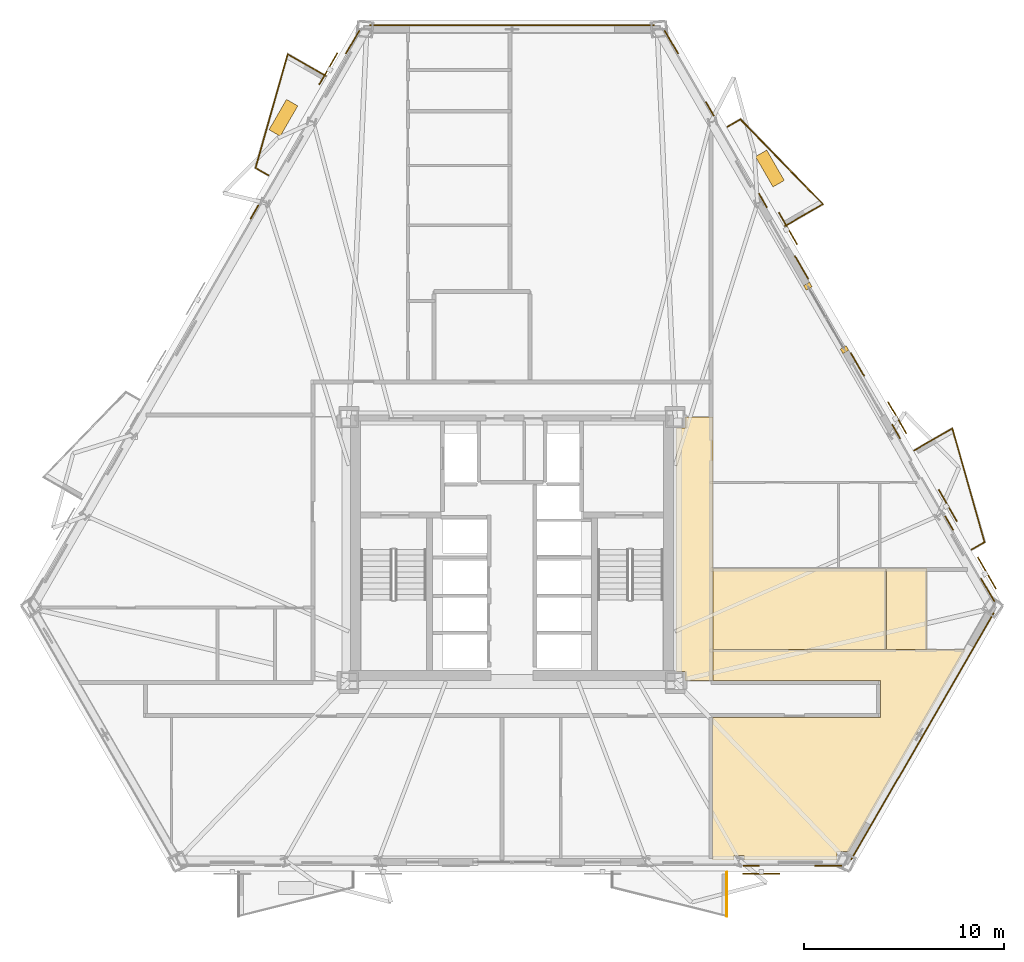
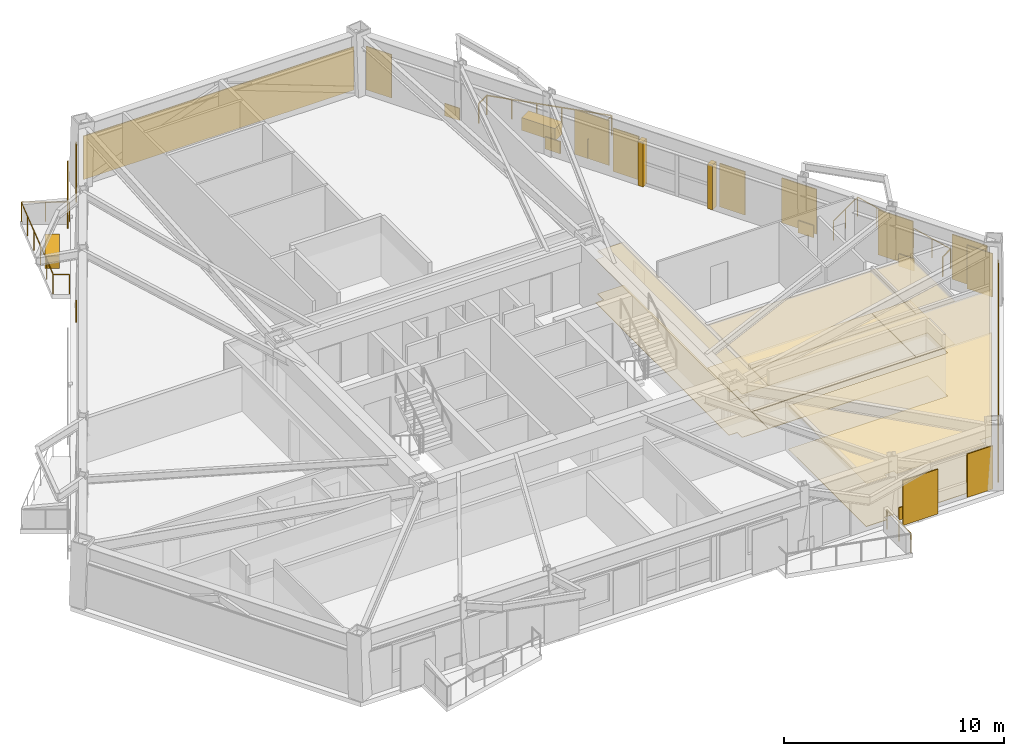
# One storey, part 15 of 15: 26 coverings, 10 railings, 6 shading devices.
"""IFC4 building model written with IfcOpenShell, lengths in metres."""

from ifc_helpers import new_model, si_unit, direction, frame, origin, origin_2d, place, context, subcontext, project, spatial, polyline, rectangle, circle, outline, extrude, material, layer, layer_set, type_object, element, save


model = new_model("IFC4")

# Units and contexts
model_context = context("Model", 3, precision=1e-05, world=origin(), true_north=direction((0.0, 1.0)))
body_context = subcontext(model_context, "Body", "Model", "MODEL_VIEW")
ifc_project = project(units=[si_unit("LENGTHUNIT", "METRE"), si_unit("AREAUNIT", "SQUARE_METRE"), si_unit("VOLUMEUNIT", "CUBIC_METRE"), si_unit("PLANEANGLEUNIT", "RADIAN"), si_unit("MASSUNIT", "GRAM", prefix="KILO")], contexts=[model_context])

# Site, building, storey
site_placement = place(None, origin())
site = spatial("IfcSite", under=ifc_project, at=site_placement, CompositionType="ELEMENT")
building_placement = place(site_placement, origin())
building = spatial("IfcBuilding", under=site, at=building_placement, Name="Oramaril Tower", CompositionType="ELEMENT")
storey_placement = place(building_placement, frame((0.0, 0.0, 48.89990234375)))
storey = spatial("IfcBuildingStorey", under=building, at=storey_placement, Name="L12", CompositionType="ELEMENT", Elevation=48.89990234375)

# Coverings
ifc_material_1 = material(Name="Mineral Fibre Acoustic Ceiling")
ifc_layer_1 = layer(ifc_material_1, 0.02001953125)
ifc_layer_set_1 = layer_set([ifc_layer_1], Name="CVT-CEIL")
covering_type_1 = type_object("IfcCoveringType", Name="CVT-CEIL", PredefinedType="CEILING", material=ifc_layer_set_1)
covering_1_placement = place(storey_placement, frame((0.0, 0.0, 2.400146484375)))
element("IfcCovering", 1, at=covering_1_placement, inside=storey, type_object=covering_type_1, Name="L12 Acoustic Suspended Ceiling 4", PredefinedType="CEILING", context=body_context, shape_type="SweptSolid", body=[
    extrude(outline(polyline([(47.530029296875, 11.050048828125), (46.14501953125, 11.050048828125), (46.14501953125, 11.4951171875), (45.719970703125, 11.4951171875), (45.719970703125, 23.655029296875), (46.14501953125, 23.655029296875), (46.14501953125, 24.219970703125), (47.530029296875, 24.219970703125), (47.530029296875, 11.050048828125)])), origin(), (0.0, 0.0, 1.0), 0.02001953125),
])
covering_2_placement = place(storey_placement, frame((0.0, 0.0, 2.400146484375)))
element("IfcCovering", 2, at=covering_2_placement, inside=storey, type_object=covering_type_1, Name="L12 Acoustic Suspended Ceiling 14", PredefinedType="CEILING", context=body_context, shape_type="SweptSolid", body=[
    extrude(outline(polyline([(60.15625, 12.58984375), (54.32958984375, 2.497802734375), (53.734375, 2.497802734375), (53.734375, 2.086181640625), (49.093505859375, 2.086181640625), (49.093505859375, 2.314697265625), (48.587890625, 2.314697265625), (48.587890625, 2.086181640625), (47.511962890625, 2.086181640625), (47.511962890625, 9.199951171875), (55.8798828125, 9.199951171875), (55.882080078125, 9.2001953125), (55.8837890625, 9.200439453125), (55.8857421875, 9.200927734375), (55.8876953125, 9.201416015625), (55.889404296875, 9.202392578125), (55.89111328125, 9.203369140625), (55.892578125, 9.20458984375), (55.89404296875, 9.205810546875), (55.8955078125, 9.207275390625), (55.896484375, 9.208984375), (55.897705078125, 9.210693359375), (55.8984375, 9.21240234375), (55.899169921875, 9.214111328125), (55.899658203125, 9.216064453125), (55.89990234375, 9.218017578125), (55.89990234375, 9.219970703125), (55.89990234375, 11.030029296875), (55.89990234375, 11.031982421875), (55.899658203125, 11.033935546875), (55.899169921875, 11.035888671875), (55.8984375, 11.03759765625), (55.897705078125, 11.039306640625), (55.896484375, 11.041015625), (55.8955078125, 11.042724609375), (55.89404296875, 11.044189453125), (55.892578125, 11.04541015625), (55.89111328125, 11.046630859375), (55.889404296875, 11.047607421875), (55.8876953125, 11.048583984375), (55.8857421875, 11.049072265625), (55.8837890625, 11.049560546875), (55.882080078125, 11.0498046875), (55.8798828125, 11.050048828125), (47.550048828125, 11.050048828125), (47.550048828125, 12.58984375), (60.15625, 12.58984375)])), origin(), (0.0, 0.0, 1.0), 0.02001953125),
])
covering_3_placement = place(storey_placement, frame((0.0, 0.0, 2.400146484375)))
element("IfcCovering", 3, at=covering_3_placement, inside=storey, type_object=covering_type_1, Name="L12 Acoustic Suspended Ceiling 15", PredefinedType="CEILING", context=body_context, shape_type="SweptSolid", body=[
    extrude(outline(polyline([(56.185302734375, 16.64208984375), (56.185302734375, 12.60986328125), (47.550048828125, 12.60986328125), (47.550048828125, 16.64208984375), (56.185302734375, 16.64208984375)])), origin(), (0.0, 0.0, 1.0), 0.02001953125),
])
covering_4_placement = place(storey_placement, frame((0.0, 0.0, 2.400146484375)))
element("IfcCovering", 4, at=covering_4_placement, inside=storey, type_object=covering_type_1, Name="L12 Acoustic Suspended Ceiling 16", PredefinedType="CEILING", context=body_context, shape_type="SweptSolid", body=[
    extrude(outline(polyline([(58.2353515625, 16.64208984375), (58.2353515625, 12.60986328125), (56.205322265625, 12.60986328125), (56.205322265625, 16.64208984375), (58.2353515625, 16.64208984375)])), origin(), (0.0, 0.0, 1.0), 0.02001953125),
])
ifc_material_2 = material(Name="Warm Cream Limestone", Category="masonry")
ifc_layer_2 = layer(ifc_material_2, 0.050048828125)
ifc_layer_set_2 = layer_set([ifc_layer_2], Name="CVT-CLD")
covering_type_2 = type_object("IfcCoveringType", Name="CVT-CLD", PredefinedType="CLADDING", material=ifc_layer_set_2)
covering_5_placement = place(storey_placement, frame((53.30419921875, 1.785400390625, 0.0400390625), z_axis=(0.0, 0.0, 1.0), x_axis=(1.0, 0.0, 0.0)))
element("IfcCovering", 5, at=covering_5_placement, inside=storey, type_object=covering_type_2, Name="L12 Warm Cream Limestone Cladding", PredefinedType="CLADDING", context=body_context, shape_type="SweptSolid", body=[
    extrude(rectangle(XDim=1.35009765625, YDim=0.050048828125, at=origin_2d()), origin(), (0.0, 0.0, 1.0), 2.4140625),
])
covering_6_placement = place(storey_placement, frame((49.448974609375, 1.785400390625, 0.0400390625), z_axis=(0.0, 0.0, 1.0), x_axis=(1.0, 0.0, 0.0)))
element("IfcCovering", 6, at=covering_6_placement, inside=storey, type_object=covering_type_2, Name="L12 Warm Cream Limestone Spandrel Cladding", PredefinedType="CLADDING", context=body_context, shape_type="SweptSolid", body=[
    extrude(rectangle(XDim=0.800048828125, YDim=0.050048828125, at=origin_2d()), origin(), (0.0, 0.0, 1.0), 0.679931640625),
])
covering_7_placement = place(storey_placement, frame((58.0048828125, 8.26171875, 0.0400390625), z_axis=(0.0, 0.0, 1.0), x_axis=(0.5, 0.866025403784, 0.0)))
element("IfcCovering", 7, at=covering_7_placement, inside=storey, type_object=covering_type_2, Name="L12 Warm Cream Limestone Cladding", PredefinedType="CLADDING", context=body_context, shape_type="SweptSolid", body=[
    extrude(rectangle(XDim=14.2333984375, YDim=0.050048828125, at=origin_2d()), origin(), (0.0, 0.0, 1.0), 2.4140625),
])
for number, where, z_axis, x_axis, name in (
    (8, (54.10888671875, 27.575927734375, 0.0), (0.0, 0.0, 1.0), (-0.5, 0.866025403784, 0.0), "L12 Curtain Wall Limestone Jamb Closure"),
    (9, (52.27880859375, 30.74560546875, 0.0), (0.0, 0.0, 1.0), (-0.5, 0.866025403784, 0.0), "L12 Curtain Wall Limestone Jamb Closure"),
):
    element("IfcCovering", number, at=place(storey_placement, frame(where, z_axis=z_axis, x_axis=x_axis)), inside=storey, type_object=covering_type_2, Name=name, PredefinedType="CLADDING", context=body_context, shape_type="SweptSolid", body=[
        extrude(rectangle(XDim=0.260009765625, YDim=0.340087890625, at=origin_2d()), origin(), (0.0, 0.0, 1.0), 2.493896484375),
    ])
for number, where, z_axis, x_axis, name in (
    (10, (61.26318359375, 15.5703125, 0.0400390625), (0.0, 0.0, 1.0), (-0.5, 0.866025403784, 0.0), "L12 Warm Cream Limestone Cladding"),
    (11, (54.760986328125, 26.83251953125, 0.0400390625), (0.0, 0.0, 1.0), (-0.5, 0.866025403784, 0.0), "L12 Warm Cream Limestone Cladding"),
):
    element("IfcCovering", number, at=place(storey_placement, frame(where, z_axis=z_axis, x_axis=x_axis)), inside=storey, type_object=covering_type_2, Name=name, PredefinedType="CLADDING", context=body_context, shape_type="SweptSolid", body=[
        extrude(rectangle(XDim=1.35009765625, YDim=0.050048828125, at=origin_2d()), origin(), (0.0, 0.0, 1.0), 2.4140625),
    ])
for number, where, z_axis, x_axis, name in (
    (12, (59.33544921875, 18.9091796875, 0.0400390625), (0.0, 0.0, 1.0), (-0.5, 0.866025403784, 0.0), "L12 Warm Cream Limestone Spandrel Cladding"),
    (13, (56.688720703125, 23.49365234375, 0.0400390625), (0.0, 0.0, 1.0), (-0.5, 0.866025403784, 0.0), "L12 Warm Cream Limestone Spandrel Cladding"),
):
    element("IfcCovering", number, at=place(storey_placement, frame(where, z_axis=z_axis, x_axis=x_axis)), inside=storey, type_object=covering_type_2, Name=name, PredefinedType="CLADDING", context=body_context, shape_type="SweptSolid", body=[
        extrude(rectangle(XDim=0.800048828125, YDim=0.050048828125, at=origin_2d()), origin(), (0.0, 0.0, 1.0), 0.679931640625),
    ])
for number, where, z_axis, x_axis, name in (
    (14, (51.9609375, 31.68212890625, 0.0400390625), (0.0, 0.0, 1.0), (-0.5, 0.866025403784, 0.0), "L12 Warm Cream Limestone Cladding"),
    (15, (45.458740234375, 42.9443359375, 0.0400390625), (0.0, 0.0, 1.0), (-0.5, 0.866025403784, 0.0), "L12 Warm Cream Limestone Cladding"),
):
    element("IfcCovering", number, at=place(storey_placement, frame(where, z_axis=z_axis, x_axis=x_axis)), inside=storey, type_object=covering_type_2, Name=name, PredefinedType="CLADDING", context=body_context, shape_type="SweptSolid", body=[
        extrude(rectangle(XDim=1.35009765625, YDim=0.050048828125, at=origin_2d()), origin(), (0.0, 0.0, 1.0), 2.4140625),
    ])
for number, where, z_axis, x_axis, name in (
    (16, (50.033447265625, 35.02099609375, 0.0400390625), (0.0, 0.0, 1.0), (-0.5, 0.866025403784, 0.0), "L12 Warm Cream Limestone Spandrel Cladding"),
    (17, (47.38671875, 39.60546875, 0.0400390625), (0.0, 0.0, 1.0), (-0.5, 0.866025403784, 0.0), "L12 Warm Cream Limestone Spandrel Cladding"),
):
    element("IfcCovering", number, at=place(storey_placement, frame(where, z_axis=z_axis, x_axis=x_axis)), inside=storey, type_object=covering_type_2, Name=name, PredefinedType="CLADDING", context=body_context, shape_type="SweptSolid", body=[
        extrude(rectangle(XDim=0.800048828125, YDim=0.050048828125, at=origin_2d()), origin(), (0.0, 0.0, 1.0), 0.679931640625),
    ])
covering_8_placement = place(storey_placement, frame((37.5, 43.77685546875, 0.0400390625), z_axis=(0.0, 0.0, 1.0), x_axis=(-1.0, 0.0, 0.0)))
element("IfcCovering", 18, at=covering_8_placement, inside=storey, type_object=covering_type_2, Name="L12 Warm Cream Limestone Cladding", PredefinedType="CLADDING", context=body_context, shape_type="SweptSolid", body=[
    extrude(rectangle(XDim=14.2333984375, YDim=0.050048828125, at=origin_2d()), origin(), (0.0, 0.0, 1.0), 2.4140625),
])
covering_9_placement = place(storey_placement, frame((29.541259765625, 42.9443359375, 0.0400390625), z_axis=(0.0, 0.0, 1.0), x_axis=(-0.5, -0.866025403784, 0.0)))
element("IfcCovering", 19, at=covering_9_placement, inside=storey, type_object=covering_type_2, Name="L12 Warm Cream Limestone Cladding", PredefinedType="CLADDING", context=body_context, shape_type="SweptSolid", body=[
    extrude(rectangle(XDim=1.35009765625, YDim=0.050048828125, at=origin_2d()), origin(), (0.0, 0.0, 1.0), 2.4140625),
])
covering_10_placement = place(storey_placement, frame((24.63671875, 34.44970703125, 0.0400390625), z_axis=(0.0, 0.0, 1.0), x_axis=(-0.5, -0.866025403784, 0.0)))
element("IfcCovering", 20, at=covering_10_placement, inside=storey, type_object=covering_type_2, Name="L12 Warm Cream Limestone Spandrel Cladding", PredefinedType="CLADDING", context=body_context, shape_type="SweptSolid", body=[
    extrude(rectangle(XDim=0.800048828125, YDim=0.050048828125, at=origin_2d()), origin(), (0.0, 0.0, 1.0), 0.679931640625),
])
for number, where, z_axis, x_axis, name in (
    (21, (50.3818359375, 36.62451171875, 0.0), (0.0, 0.0, 1.0), (-0.5, 0.866025403784, 0.0), "L12 Structural Tree Planter Box L12-BAL-NE2"),
    (22, (26.080810546875, 39.15771484375, 0.0), (0.0, 0.0, 1.0), (-0.5, -0.866025403784, 0.0), "L12 Structural Tree Planter Box L12-BAL-NW1"),
):
    element("IfcCovering", number, at=place(storey_placement, frame(where, z_axis=z_axis, x_axis=x_axis)), inside=storey, type_object=covering_type_2, Name=name, PredefinedType="CLADDING", context=body_context, shape_type="SweptSolid", body=[
        extrude(rectangle(XDim=1.75, YDim=0.64990234375, at=origin_2d()), origin(), (0.0, 0.0, 1.0), 0.699951171875),
    ])
ifc_material_3 = material(Name="Honed Quartzite Stone Flooring", Category="masonry")
ifc_layer_3 = layer(ifc_material_3, 0.02490234375)
ifc_layer_set_3 = layer_set([ifc_layer_3], Name="CVT-FLR")
covering_type_3 = type_object("IfcCoveringType", Name="CVT-FLR", PredefinedType="FLOORING", material=ifc_layer_set_3)
covering_11_placement = place(storey_placement, origin())
element("IfcCovering", 23, at=covering_11_placement, inside=storey, type_object=covering_type_3, Name="L12 Honed Stone Floor Finish 4", PredefinedType="FLOORING", context=body_context, shape_type="SweptSolid", body=[
    extrude(outline(polyline([(47.530029296875, 11.050048828125), (46.14501953125, 11.050048828125), (46.14501953125, 11.4951171875), (45.719970703125, 11.4951171875), (45.719970703125, 23.655029296875), (46.14501953125, 23.655029296875), (46.14501953125, 24.219970703125), (47.530029296875, 24.219970703125), (47.530029296875, 11.050048828125)])), origin(), (0.0, 0.0, 1.0), 0.025146484375),
])
covering_12_placement = place(storey_placement, origin())
element("IfcCovering", 24, at=covering_12_placement, inside=storey, type_object=covering_type_3, Name="L12 Honed Stone Floor Finish 14", PredefinedType="FLOORING", context=body_context, shape_type="SweptSolid", body=[
    extrude(outline(polyline([(60.15625, 12.58984375), (54.32958984375, 2.497802734375), (53.734375, 2.497802734375), (53.734375, 2.086181640625), (49.093505859375, 2.086181640625), (49.093505859375, 2.314697265625), (48.587890625, 2.314697265625), (48.587890625, 2.086181640625), (47.511962890625, 2.086181640625), (47.511962890625, 9.199951171875), (55.8798828125, 9.199951171875), (55.882080078125, 9.2001953125), (55.8837890625, 9.200439453125), (55.8857421875, 9.200927734375), (55.8876953125, 9.201416015625), (55.889404296875, 9.202392578125), (55.89111328125, 9.203369140625), (55.892578125, 9.20458984375), (55.89404296875, 9.205810546875), (55.8955078125, 9.207275390625), (55.896484375, 9.208984375), (55.897705078125, 9.210693359375), (55.8984375, 9.21240234375), (55.899169921875, 9.214111328125), (55.899658203125, 9.216064453125), (55.89990234375, 9.218017578125), (55.89990234375, 9.219970703125), (55.89990234375, 11.030029296875), (55.89990234375, 11.031982421875), (55.899658203125, 11.033935546875), (55.899169921875, 11.035888671875), (55.8984375, 11.03759765625), (55.897705078125, 11.039306640625), (55.896484375, 11.041015625), (55.8955078125, 11.042724609375), (55.89404296875, 11.044189453125), (55.892578125, 11.04541015625), (55.89111328125, 11.046630859375), (55.889404296875, 11.047607421875), (55.8876953125, 11.048583984375), (55.8857421875, 11.049072265625), (55.8837890625, 11.049560546875), (55.882080078125, 11.0498046875), (55.8798828125, 11.050048828125), (47.550048828125, 11.050048828125), (47.550048828125, 12.58984375), (60.15625, 12.58984375)])), origin(), (0.0, 0.0, 1.0), 0.025146484375),
])
covering_13_placement = place(storey_placement, origin())
element("IfcCovering", 25, at=covering_13_placement, inside=storey, type_object=covering_type_3, Name="L12 Honed Stone Floor Finish 15", PredefinedType="FLOORING", context=body_context, shape_type="SweptSolid", body=[
    extrude(outline(polyline([(56.185302734375, 16.64208984375), (56.185302734375, 12.60986328125), (47.550048828125, 12.60986328125), (47.550048828125, 16.64208984375), (56.185302734375, 16.64208984375)])), origin(), (0.0, 0.0, 1.0), 0.025146484375),
])
covering_14_placement = place(storey_placement, origin())
element("IfcCovering", 26, at=covering_14_placement, inside=storey, type_object=covering_type_3, Name="L12 Honed Stone Floor Finish 16", PredefinedType="FLOORING", context=body_context, shape_type="SweptSolid", body=[
    extrude(outline(polyline([(58.2353515625, 16.64208984375), (58.2353515625, 12.60986328125), (56.205322265625, 12.60986328125), (56.205322265625, 16.64208984375), (58.2353515625, 16.64208984375)])), origin(), (0.0, 0.0, 1.0), 0.025146484375),
])

# Railings
ifc_material_4 = material(Name="Stainless Steel 316L", Category="steel")
railing_type = type_object("IfcRailingType", Name="RLT-GRD", PredefinedType="GUARDRAIL", material=ifc_material_4)
railing_1_placement = place(storey_placement, frame((48.23486328125, 1.47021484375, 0.0)))
element("IfcRailing", 27, at=railing_1_placement, inside=storey, type_object=railing_type, Name="L12 Balcony Guardrail L12-BAL-S2.1", PredefinedType="GUARDRAIL", context=body_context, shape_type="SweptSolid", body=[
    extrude(circle(Radius=0.02392578125, at=origin_2d()), frame((0.0, 0.0, 1.076171875), z_axis=(0.0, -1.0, 0.0), x_axis=(1.0, 0.0, 0.0)), (0.0, 0.0, 1.0), 2.19189453125),
    extrude(circle(Radius=0.02099609375, at=origin_2d()), origin(), (0.0, 0.0, 1.0), 1.052001953125),
    extrude(circle(Radius=0.02099609375, at=origin_2d()), frame((0.0, -1.095947265625, 0.0)), (0.0, 0.0, 1.0), 1.052001953125),
    extrude(circle(Radius=0.02099609375, at=origin_2d()), frame((0.0, -2.19189453125, 0.0)), (0.0, 0.0, 1.0), 1.052001953125),
])
railing_2_placement = place(storey_placement, frame((57.598876953125, 22.54736328125, 0.0)))
element("IfcRailing", 28, at=railing_2_placement, inside=storey, type_object=railing_type, Name="L12 Balcony Guardrail L12-BAL-NE1.1", PredefinedType="GUARDRAIL", context=body_context, shape_type="SweptSolid", body=[
    extrude(circle(Radius=0.02392578125, at=origin_2d()), frame((0.0, 0.0, 1.076171875), z_axis=(0.866020500697, 0.5000084923, 0.0), x_axis=(-0.5000084923, 0.866020500697, 0.0)), (0.0, 0.0, 1.0), 2.19189453125),
    extrude(circle(Radius=0.02099609375, at=origin_2d()), origin(), (0.0, 0.0, 1.0), 1.052001953125),
    extrude(circle(Radius=0.02099609375, at=origin_2d()), frame((0.94921875, 0.5478515625, 0.0)), (0.0, 0.0, 1.0), 1.052001953125),
    extrude(circle(Radius=0.02099609375, at=origin_2d()), frame((1.898193359375, 1.095947265625, 0.0)), (0.0, 0.0, 1.0), 1.052001953125),
])
railing_3_placement = place(storey_placement, frame((59.4970703125, 23.643310546875, 0.0)))
element("IfcRailing", 29, at=railing_3_placement, inside=storey, type_object=railing_type, Name="L12 Balcony Guardrail L12-BAL-NE1.2", PredefinedType="GUARDRAIL", context=body_context, shape_type="SweptSolid", body=[
    extrude(circle(Radius=0.02392578125, at=origin_2d()), frame((0.0, 0.0, 1.076171875), z_axis=(0.27224886544, -0.962226873074, 0.0), x_axis=(0.962226873074, 0.27224886544, 0.0)), (0.0, 0.0, 1.0), 5.910400390625),
    extrude(circle(Radius=0.02099609375, at=origin_2d()), origin(), (0.0, 0.0, 1.0), 1.052001953125),
    extrude(circle(Radius=0.02099609375, at=origin_2d()), frame((0.32177734375, -1.137451171875, 0.0)), (0.0, 0.0, 1.0), 1.052001953125),
    extrude(circle(Radius=0.02099609375, at=origin_2d()), frame((0.6435546875, -2.27490234375, 0.0)), (0.0, 0.0, 1.0), 1.052001953125),
    extrude(circle(Radius=0.02099609375, at=origin_2d()), frame((0.965576171875, -3.412353515625, 0.0)), (0.0, 0.0, 1.0), 1.052001953125),
    extrude(circle(Radius=0.02099609375, at=origin_2d()), frame((1.287353515625, -4.5498046875, 0.0)), (0.0, 0.0, 1.0), 1.052001953125),
    extrude(circle(Radius=0.02099609375, at=origin_2d()), frame((1.609130859375, -5.687255859375, 0.0)), (0.0, 0.0, 1.0), 1.052001953125),
])
railing_4_placement = place(storey_placement, frame((61.106201171875, 17.9560546875, 0.0)))
element("IfcRailing", 30, at=railing_4_placement, inside=storey, type_object=railing_type, Name="L12 Balcony Guardrail L12-BAL-NE1.3", PredefinedType="GUARDRAIL", context=body_context, shape_type="SweptSolid", body=[
    extrude(circle(Radius=0.02392578125, at=origin_2d()), frame((0.0, 0.0, 1.076171875), z_axis=(-0.866026623601, -0.49999788721, 0.0), x_axis=(0.49999788721, -0.866026623601, 0.0)), (0.0, 0.0, 1.0), 0.74169921875),
    extrude(circle(Radius=0.02099609375, at=origin_2d()), origin(), (0.0, 0.0, 1.0), 1.052001953125),
    extrude(circle(Radius=0.02099609375, at=origin_2d()), frame((-0.642333984375, -0.370849609375, 0.0)), (0.0, 0.0, 1.0), 1.052001953125),
])
railing_5_placement = place(storey_placement, frame((48.266357421875, 38.71142578125, 0.0)))
element("IfcRailing", 31, at=railing_5_placement, inside=storey, type_object=railing_type, Name="L12 Balcony Guardrail L12-BAL-NE2.1", PredefinedType="GUARDRAIL", context=body_context, shape_type="SweptSolid", body=[
    extrude(circle(Radius=0.02392578125, at=origin_2d()), frame((0.0, 0.0, 1.076171875), z_axis=(0.865966403178, 0.500102178127, 0.0), x_axis=(-0.500102178127, 0.865966403178, 0.0)), (0.0, 0.0, 1.0), 0.741943359375),
    extrude(circle(Radius=0.02099609375, at=origin_2d()), origin(), (0.0, 0.0, 1.0), 1.052001953125),
    extrude(circle(Radius=0.02099609375, at=origin_2d()), frame((0.642578125, 0.37109375, 0.0)), (0.0, 0.0, 1.0), 1.052001953125),
])
railing_6_placement = place(storey_placement, frame((48.908935546875, 39.08251953125, 0.0)))
element("IfcRailing", 32, at=railing_6_placement, inside=storey, type_object=railing_type, Name="L12 Balcony Guardrail L12-BAL-NE2.2", PredefinedType="GUARDRAIL", context=body_context, shape_type="SweptSolid", body=[
    extrude(circle(Radius=0.02392578125, at=origin_2d()), frame((0.0, 0.0, 1.076171875), z_axis=(0.697186915353, -0.716889395277, 0.0), x_axis=(0.716889395277, 0.697186915353, 0.0)), (0.0, 0.0, 1.0), 5.91064453125),
    extrude(circle(Radius=0.02099609375, at=origin_2d()), origin(), (0.0, 0.0, 1.0), 1.052001953125),
    extrude(circle(Radius=0.02099609375, at=origin_2d()), frame((0.82421875, -0.847412109375, 0.0)), (0.0, 0.0, 1.0), 1.052001953125),
    extrude(circle(Radius=0.02099609375, at=origin_2d()), frame((1.6484375, -1.69482421875, 0.0)), (0.0, 0.0, 1.0), 1.052001953125),
    extrude(circle(Radius=0.02099609375, at=origin_2d()), frame((2.472412109375, -2.54248046875, 0.0)), (0.0, 0.0, 1.0), 1.052001953125),
    extrude(circle(Radius=0.02099609375, at=origin_2d()), frame((3.296630859375, -3.389892578125, 0.0)), (0.0, 0.0, 1.0), 1.052001953125),
    extrude(circle(Radius=0.02099609375, at=origin_2d()), frame((4.120849609375, -4.2373046875, 0.0)), (0.0, 0.0, 1.0), 1.052001953125),
])
railing_7_placement = place(storey_placement, frame((53.02978515625, 34.84521484375, 0.0)))
element("IfcRailing", 33, at=railing_7_placement, inside=storey, type_object=railing_type, Name="L12 Balcony Guardrail L12-BAL-NE2.3", PredefinedType="GUARDRAIL", context=body_context, shape_type="SweptSolid", body=[
    extrude(circle(Radius=0.02392578125, at=origin_2d()), frame((0.0, 0.0, 1.076171875), z_axis=(-0.866048343933, -0.499960264392, 0.0), x_axis=(0.499960264392, -0.866048343933, 0.0)), (0.0, 0.0, 1.0), 2.192138671875),
    extrude(circle(Radius=0.02099609375, at=origin_2d()), origin(), (0.0, 0.0, 1.0), 1.052001953125),
    extrude(circle(Radius=0.02099609375, at=origin_2d()), frame((-0.94921875, -0.5478515625, 0.0)), (0.0, 0.0, 1.0), 1.052001953125),
    extrude(circle(Radius=0.02099609375, at=origin_2d()), frame((-1.8984375, -1.095947265625, 0.0)), (0.0, 0.0, 1.0), 1.052001953125),
])
railing_8_placement = place(storey_placement, frame((25.3310546875, 36.282470703125, 0.0)))
element("IfcRailing", 34, at=railing_8_placement, inside=storey, type_object=railing_type, Name="L12 Balcony Guardrail L12-BAL-NW1.1", PredefinedType="GUARDRAIL", context=body_context, shape_type="SweptSolid", body=[
    extrude(circle(Radius=0.02392578125, at=origin_2d()), frame((0.0, 0.0, 1.076171875), z_axis=(-0.866026623601, 0.49999788721, 0.0), x_axis=(-0.49999788721, -0.866026623601, 0.0)), (0.0, 0.0, 1.0), 0.74169921875),
    extrude(circle(Radius=0.02099609375, at=origin_2d()), origin(), (0.0, 0.0, 1.0), 1.052001953125),
    extrude(circle(Radius=0.02099609375, at=origin_2d()), frame((-0.642333984375, 0.370849609375, 0.0)), (0.0, 0.0, 1.0), 1.052001953125),
])
railing_9_placement = place(storey_placement, frame((24.688720703125, 36.6533203125, 0.0)))
element("IfcRailing", 35, at=railing_9_placement, inside=storey, type_object=railing_type, Name="L12 Balcony Guardrail L12-BAL-NW1.2", PredefinedType="GUARDRAIL", context=body_context, shape_type="SweptSolid", body=[
    extrude(circle(Radius=0.02392578125, at=origin_2d()), frame((0.0, 0.0, 1.076171875), z_axis=(0.27224886544, 0.962226873074, 0.0), x_axis=(-0.962226873074, 0.27224886544, 0.0)), (0.0, 0.0, 1.0), 5.910400390625),
    extrude(circle(Radius=0.02099609375, at=origin_2d()), origin(), (0.0, 0.0, 1.0), 1.052001953125),
    extrude(circle(Radius=0.02099609375, at=origin_2d()), frame((0.32177734375, 1.137451171875, 0.0)), (0.0, 0.0, 1.0), 1.052001953125),
    extrude(circle(Radius=0.02099609375, at=origin_2d()), frame((0.6435546875, 2.27490234375, 0.0)), (0.0, 0.0, 1.0), 1.052001953125),
    extrude(circle(Radius=0.02099609375, at=origin_2d()), frame((0.965576171875, 3.412353515625, 0.0)), (0.0, 0.0, 1.0), 1.052001953125),
    extrude(circle(Radius=0.02099609375, at=origin_2d()), frame((1.287353515625, 4.5498046875, 0.0)), (0.0, 0.0, 1.0), 1.052001953125),
    extrude(circle(Radius=0.02099609375, at=origin_2d()), frame((1.609130859375, 5.687255859375, 0.0)), (0.0, 0.0, 1.0), 1.052001953125),
])
railing_10_placement = place(storey_placement, frame((26.2978515625, 42.340576171875, 0.0)))
element("IfcRailing", 36, at=railing_10_placement, inside=storey, type_object=railing_type, Name="L12 Balcony Guardrail L12-BAL-NW1.3", PredefinedType="GUARDRAIL", context=body_context, shape_type="SweptSolid", body=[
    extrude(circle(Radius=0.02392578125, at=origin_2d()), frame((0.0, 0.0, 1.076171875), z_axis=(0.866020500697, -0.5000084923, 0.0), x_axis=(0.5000084923, 0.866020500697, 0.0)), (0.0, 0.0, 1.0), 2.19189453125),
    extrude(circle(Radius=0.02099609375, at=origin_2d()), origin(), (0.0, 0.0, 1.0), 1.052001953125),
    extrude(circle(Radius=0.02099609375, at=origin_2d()), frame((0.94921875, -0.5478515625, 0.0)), (0.0, 0.0, 1.0), 1.052001953125),
    extrude(circle(Radius=0.02099609375, at=origin_2d()), frame((1.898193359375, -1.095947265625, 0.0)), (0.0, 0.0, 1.0), 1.052001953125),
])

# Shading devices
for number, where, z_axis, x_axis, name in (
    (37, (49.95263671875, 1.398193359375, -0.02001953125), (0.0, 0.0, 1.0), (1.0, 0.0, 0.0), "L12 Perforated Ceramic Solar Screen"),
    (38, (56.740966796875, 24.177001953125, -0.02001953125), (0.0, 0.0, 1.0), (-0.499996976998, 0.866027149108, 0.0), "L12 Perforated Ceramic Solar Screen"),
    (39, (61.220947265625, 16.41748046875, -0.02001953125), (0.0, 0.0, 1.0), (-0.499996976998, 0.866027149108, 0.0), "L12 Perforated Ceramic Solar Screen"),
    (40, (59.27099609375, 19.794921875, -0.02001953125), (0.0, 0.0, 1.0), (-0.499996976998, 0.866027149108, 0.0), "L12 Perforated Ceramic Solar Screen"),
    (41, (51.286865234375, 33.6240234375, -0.02001953125), (0.0, 0.0, 1.0), (-0.500003022996, 0.86602365845, 0.0), "L12 Perforated Ceramic Solar Screen"),
    (42, (28.3203125, 41.603515625, -0.02001953125), (0.0, 0.0, 1.0), (-0.5, -0.866025403784, 0.0), "L12 Perforated Ceramic Solar Screen"),
):
    element("IfcShadingDevice", number, at=place(storey_placement, frame(where, z_axis=z_axis, x_axis=x_axis)), inside=storey, Name=name, ObjectType="SCREEN", PredefinedType="USERDEFINED", context=body_context, shape_type="SweptSolid", body=[
        extrude(rectangle(XDim=1.8330078125, YDim=0.050048828125, at=origin_2d()), origin(), (0.0, 0.0, 1.0), 2.493896484375),
    ])

save(model, "model.ifc")
